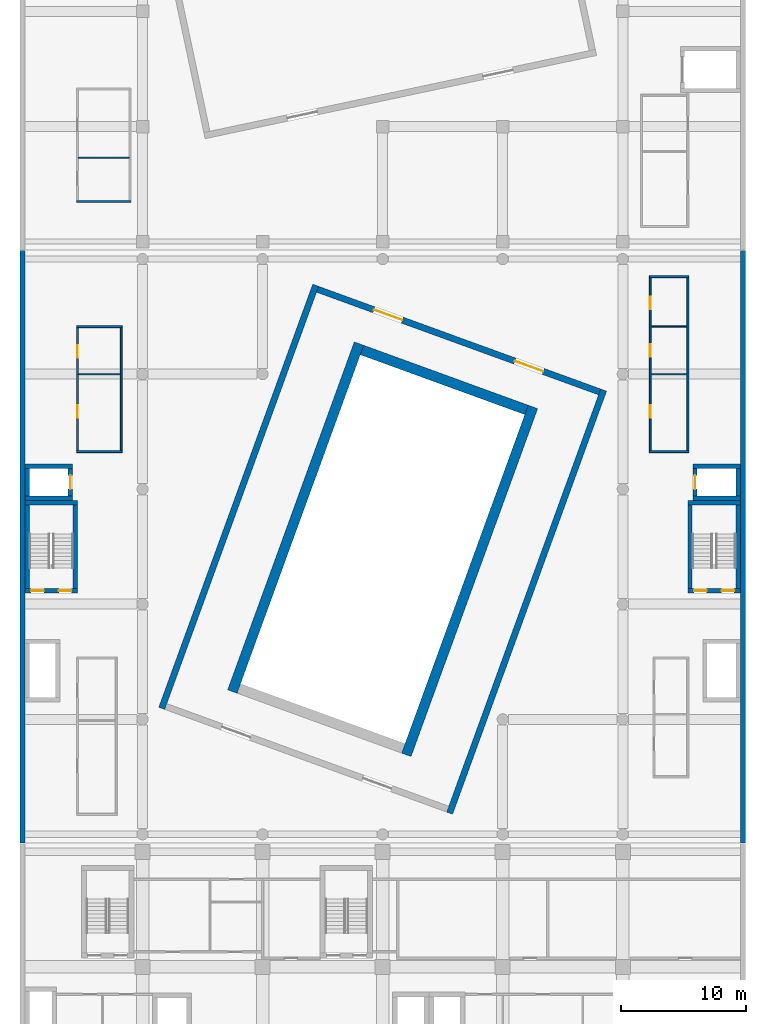
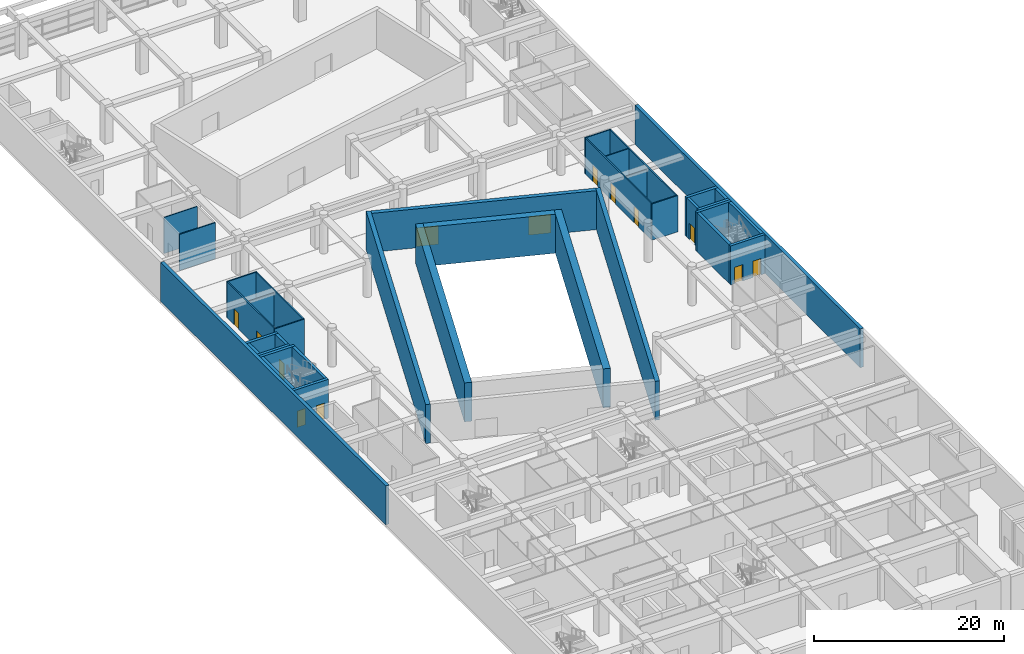
# One storey, part 13 of 31: 37 walls, 13 doors, 13 openings.
"""IFC4 building model written with IfcOpenShell, lengths in metres."""

from ifc_helpers import new_model, si_unit, direction, frame, frame_2d, origin, place, context, subcontext, project, spatial, rectangle, extrude, material, layer, layer_set, type_object, element, fill, save


model = new_model("IFC4")

# Units and contexts
model_context = context("Model", 3, precision=1e-05, world=origin(), true_north=direction((0.0, 1.0)))
body_context = subcontext(model_context, "Body", "Model", "MODEL_VIEW")
ifc_project = project(units=[si_unit("LENGTHUNIT", "METRE"), si_unit("AREAUNIT", "SQUARE_METRE"), si_unit("VOLUMEUNIT", "CUBIC_METRE"), si_unit("PLANEANGLEUNIT", "RADIAN"), si_unit("MASSUNIT", "GRAM", prefix="KILO")], contexts=[model_context])

# Site, building, storey
site_placement = place(None, origin())
site = spatial("IfcSite", under=ifc_project, at=site_placement, CompositionType="ELEMENT")
building_placement = place(site_placement, origin())
building = spatial("IfcBuilding", under=site, at=building_placement, Name="Nzadi Deep Aquarium and Research Tower", CompositionType="ELEMENT")
storey_placement = place(building_placement, frame((0.0, 0.0, 21.699951171875)))
storey = spatial("IfcBuildingStorey", under=building, at=storey_placement, Name="L03", CompositionType="ELEMENT", Elevation=21.699951171875)

# Walls
ifc_material_1 = material(Name="Blockwork masonry", Category="masonry")
ifc_layer_1 = layer(ifc_material_1, 0.10009765625)
ifc_layer_set_1 = layer_set([ifc_layer_1], Name="Blockwork masonry")
wall_type_1 = type_object("IfcWallType", Name="Partition 100 EI 30", PredefinedType="PARTITIONING", material=ifc_layer_set_1)
wall_1_placement = place(storey_placement, frame((50.27490234375, 88.0, 0.0), z_axis=(0.0, 0.0, 1.0), x_axis=(1.0, 0.0, 0.0)))
element("IfcWall", 1, at=wall_1_placement, inside=storey, type_object=wall_type_1, Name="W-Z2-L03-P015", PredefinedType="PARTITIONING", context=body_context, shape_type="SweptSolid", body=[
    extrude(rectangle(XDim=2.85009765625, YDim=0.10009765625, at=frame_2d((1.425048828125, 0.0))), origin(), (0.0, 0.0, 1.0), 4.650146484375),
])
wall_2_placement = place(storey_placement, frame((4.47509765625, 101.5, 0.0), z_axis=(0.0, 0.0, 1.0), x_axis=(1.0, 0.0, 0.0)))
element("IfcWall", 2, at=wall_2_placement, inside=storey, type_object=wall_type_1, Name="W-Z3-L03-P004", PredefinedType="PARTITIONING", context=body_context, shape_type="SweptSolid", body=[
    extrude(rectangle(XDim=4.0498046875, YDim=0.10009765625, at=frame_2d((2.02490234375, 0.0))), origin(), (0.0, 0.0, 1.0), 4.650146484375),
])
ifc_material_2 = material(Name="Blockwork masonry", Category="masonry")
ifc_layer_2 = layer(ifc_material_2, 0.10009765625)
ifc_layer_set_2 = layer_set([ifc_layer_2], Name="Blockwork masonry")
wall_type_2 = type_object("IfcWallType", Name="Partition 100 EI 30, 4.25 m high", PredefinedType="PARTITIONING", material=ifc_layer_set_2)
wall_3_placement = place(storey_placement, frame((4.47509765625, 84.199951171875, 0.0), z_axis=(0.0, 0.0, 1.0), x_axis=(1.0, 0.0, 0.0)))
element("IfcWall", 3, at=wall_3_placement, inside=storey, type_object=wall_type_2, Name="W-Z2-L03-P008", PredefinedType="PARTITIONING", context=body_context, shape_type="SweptSolid", body=[
    extrude(rectangle(XDim=3.349853515625, YDim=0.10009765625, at=frame_2d((1.6748046875, 0.0))), origin(), (0.0, 0.0, 1.0), 4.25),
])
wall_4_placement = place(storey_placement, frame((50.27490234375, 84.199951171875, 0.0), z_axis=(0.0, 0.0, 1.0), x_axis=(1.0, 0.0, 0.0)))
element("IfcWall", 4, at=wall_4_placement, inside=storey, type_object=wall_type_2, Name="W-Z2-L03-P014", PredefinedType="PARTITIONING", context=body_context, shape_type="SweptSolid", body=[
    extrude(rectangle(XDim=2.85009765625, YDim=0.10009765625, at=frame_2d((1.425048828125, 0.0))), origin(), (0.0, 0.0, 1.0), 4.25),
])
ifc_material_3 = material(Name="Blockwork masonry", Category="masonry")
ifc_layer_3 = layer(ifc_material_3, 0.14990234375)
ifc_layer_set_3 = layer_set([ifc_layer_3], Name="Blockwork masonry")
wall_type_3 = type_object("IfcWallType", Name="Partition 150 EI 60", PredefinedType="PARTITIONING", material=ifc_layer_set_3)
wall_5_placement = place(storey_placement, frame((4.324951171875, 78.0, 0.0), z_axis=(0.0, 0.0, 1.0), x_axis=(1.0, 0.0, 0.0)))
element("IfcWall", 5, at=wall_5_placement, inside=storey, type_object=wall_type_3, Name="W-Z2-L03-P004", PredefinedType="PARTITIONING", context=body_context, shape_type="SweptSolid", body=[
    extrude(rectangle(XDim=3.650146484375, YDim=0.14990234375, at=frame_2d((1.8251953125, 0.0))), origin(), (0.0, 0.0, 1.0), 4.650146484375),
])

# Wall, openings, doors
wall_6_placement = place(storey_placement, frame((4.39990234375, 78.074951171875, 0.0), z_axis=(0.0, 0.0, 1.0), x_axis=(0.0, 1.0, 0.0)))
wall_6 = element("IfcWall", 6, at=wall_6_placement, inside=storey, type_object=wall_type_3, Name="W-Z2-L03-P005", PredefinedType="PARTITIONING", context=body_context, shape_type="SweptSolid", body=[
    extrude(rectangle(XDim=9.85009765625, YDim=0.14990234375, at=frame_2d((4.925048828125, 0.0))), origin(), (0.0, 0.0, 1.0), 4.650146484375),
])
opening_1_placement = place(wall_6_placement, frame((2.635009765625, 0.0, 0.0)))
opening_1 = element("IfcOpeningElement", 7, at=opening_1_placement, cuts=wall_6, Name="Opening D042005", PredefinedType="OPENING", context=body_context, shape_type="SweptSolid", body=[
    extrude(rectangle(XDim=1.0, YDim=2.10009765625, at=frame_2d((0.5, 1.050048828125))), frame((0.0, 0.0849609375, 0.0), z_axis=(0.0, -1.0, 0.0), x_axis=(1.0, 0.0, 0.0)), (0.0, 0.0, 1.0), 0.169921875),
])
opening_2_placement = place(wall_6_placement, frame((7.4150390625, 0.0, 0.0)))
opening_2 = element("IfcOpeningElement", 8, at=opening_2_placement, cuts=wall_6, Name="Opening D042006", PredefinedType="OPENING", context=body_context, shape_type="SweptSolid", body=[
    extrude(rectangle(XDim=1.0, YDim=2.10009765625, at=frame_2d((0.5, 1.050048828125))), frame((0.0, 0.0849609375, 0.0), z_axis=(0.0, -1.0, 0.0), x_axis=(1.0, 0.0, 0.0)), (0.0, 0.0, 1.0), 0.169921875),
])
ifc_material_4 = material(Name="Fire-rated steel door", Category="steel")
ifc_layer_4 = layer(ifc_material_4, 0.050048828125)
ifc_layer_set_4 = layer_set([ifc_layer_4], Name="Fire-rated steel door")
door_type_1 = type_object("IfcDoorType", Name="Door 1000x2100 EI 60 single", OperationType="SINGLE_SWING_LEFT", PredefinedType="DOOR", material=ifc_layer_set_4)
door_1_placement = place(opening_1_placement, origin())
door_1 = element("IfcDoor", 9, at=door_1_placement, inside=storey, type_object=door_type_1, Name="D042005", OperationType="SINGLE_SWING_RIGHT", OverallHeight=2.10009765625, OverallWidth=1.0, PredefinedType="DOOR", context=body_context, shape_type="SweptSolid", body=[
    extrude(rectangle(XDim=1.0, YDim=2.10009765625, at=frame_2d((0.5, 1.050048828125))), frame((0.0, 0.02490234375, 0.0), z_axis=(0.0, -1.0, 0.0), x_axis=(1.0, 0.0, 0.0)), (0.0, 0.0, 1.0), 0.050048828125),
])
fill(opening_1, door_1)
door_2_placement = place(opening_2_placement, origin())
door_2 = element("IfcDoor", 10, at=door_2_placement, inside=storey, type_object=door_type_1, Name="D042006", OperationType="SINGLE_SWING_LEFT", OverallHeight=2.10009765625, OverallWidth=1.0, PredefinedType="DOOR", context=body_context, shape_type="SweptSolid", body=[
    extrude(rectangle(XDim=1.0, YDim=2.10009765625, at=frame_2d((0.5, 1.050048828125))), frame((0.0, 0.02490234375, 0.0), z_axis=(0.0, -1.0, 0.0), x_axis=(1.0, 0.0, 0.0)), (0.0, 0.0, 1.0), 0.050048828125),
])
fill(opening_2, door_2)

# Walls
wall_7_placement = place(storey_placement, frame((4.324951171875, 88.0, 0.0), z_axis=(0.0, 0.0, 1.0), x_axis=(1.0, 0.0, 0.0)))
element("IfcWall", 11, at=wall_7_placement, inside=storey, type_object=wall_type_3, Name="W-Z2-L03-P006", PredefinedType="PARTITIONING", context=body_context, shape_type="SweptSolid", body=[
    extrude(rectangle(XDim=3.650146484375, YDim=0.14990234375, at=frame_2d((1.8251953125, 0.0))), origin(), (0.0, 0.0, 1.0), 4.650146484375),
])
wall_8_placement = place(storey_placement, frame((7.89990234375, 78.074951171875, 0.0), z_axis=(0.0, 0.0, 1.0), x_axis=(0.0, 1.0, 0.0)))
element("IfcWall", 12, at=wall_8_placement, inside=storey, type_object=wall_type_3, Name="W-Z2-L03-P010", PredefinedType="PARTITIONING", context=body_context, shape_type="SweptSolid", body=[
    extrude(rectangle(XDim=9.85009765625, YDim=0.14990234375, at=frame_2d((4.925048828125, 0.0))), origin(), (0.0, 0.0, 1.0), 4.650146484375),
])
wall_9_placement = place(storey_placement, frame((50.125, 78.0, 0.0), z_axis=(0.0, 0.0, 1.0), x_axis=(1.0, 0.0, 0.0)))
element("IfcWall", 13, at=wall_9_placement, inside=storey, type_object=wall_type_3, Name="W-Z2-L03-P011", PredefinedType="PARTITIONING", context=body_context, shape_type="SweptSolid", body=[
    extrude(rectangle(XDim=3.14990234375, YDim=0.14990234375, at=frame_2d((1.574951171875, 0.0))), origin(), (0.0, 0.0, 1.0), 4.650146484375),
])

# Wall, openings, doors
wall_10_placement = place(storey_placement, frame((50.199951171875, 78.074951171875, 0.0), z_axis=(0.0, 0.0, 1.0), x_axis=(0.0, 1.0, 0.0)))
wall_10 = element("IfcWall", 14, at=wall_10_placement, inside=storey, type_object=wall_type_3, Name="W-Z2-L03-P012", PredefinedType="PARTITIONING", context=body_context, shape_type="SweptSolid", body=[
    extrude(rectangle(XDim=13.85009765625, YDim=0.14990234375, at=frame_2d((6.925048828125, 0.0))), origin(), (0.0, 0.0, 1.0), 4.650146484375),
])
opening_3_placement = place(wall_10_placement, frame((2.635009765625, 0.0, 0.0)))
opening_3 = element("IfcOpeningElement", 15, at=opening_3_placement, cuts=wall_10, Name="Opening D042007", PredefinedType="OPENING", context=body_context, shape_type="SweptSolid", body=[
    extrude(rectangle(XDim=1.0, YDim=2.10009765625, at=frame_2d((0.5, 1.050048828125))), frame((0.0, 0.0849609375, 0.0), z_axis=(0.0, -1.0, 0.0), x_axis=(1.0, 0.0, 0.0)), (0.0, 0.0, 1.0), 0.169921875),
])
opening_4_placement = place(wall_10_placement, frame((7.52490234375, 0.0, 0.0)))
opening_4 = element("IfcOpeningElement", 16, at=opening_4_placement, cuts=wall_10, Name="Opening D042008", PredefinedType="OPENING", context=body_context, shape_type="SweptSolid", body=[
    extrude(rectangle(XDim=1.0, YDim=2.10009765625, at=frame_2d((0.5, 1.050048828125))), frame((0.0, 0.0849609375, 0.0), z_axis=(0.0, -1.0, 0.0), x_axis=(1.0, 0.0, 0.0)), (0.0, 0.0, 1.0), 0.169921875),
])
opening_5_placement = place(wall_10_placement, frame((11.31494140625, 0.0, 0.0)))
opening_5 = element("IfcOpeningElement", 17, at=opening_5_placement, cuts=wall_10, Name="Opening D042009", PredefinedType="OPENING", context=body_context, shape_type="SweptSolid", body=[
    extrude(rectangle(XDim=1.0, YDim=2.10009765625, at=frame_2d((0.5, 1.050048828125))), frame((0.0, 0.0849609375, 0.0), z_axis=(0.0, -1.0, 0.0), x_axis=(1.0, 0.0, 0.0)), (0.0, 0.0, 1.0), 0.169921875),
])
door_3_placement = place(opening_3_placement, origin())
door_3 = element("IfcDoor", 18, at=door_3_placement, inside=storey, type_object=door_type_1, Name="D042007", OperationType="SINGLE_SWING_RIGHT", OverallHeight=2.10009765625, OverallWidth=1.0, PredefinedType="DOOR", context=body_context, shape_type="SweptSolid", body=[
    extrude(rectangle(XDim=1.0, YDim=2.10009765625, at=frame_2d((0.5, 1.050048828125))), frame((0.0, 0.02490234375, 0.0), z_axis=(0.0, -1.0, 0.0), x_axis=(1.0, 0.0, 0.0)), (0.0, 0.0, 1.0), 0.050048828125),
])
fill(opening_3, door_3)
door_4_placement = place(opening_4_placement, origin())
door_4 = element("IfcDoor", 19, at=door_4_placement, inside=storey, type_object=door_type_1, Name="D042008", OperationType="SINGLE_SWING_LEFT", OverallHeight=2.10009765625, OverallWidth=1.0, PredefinedType="DOOR", context=body_context, shape_type="SweptSolid", body=[
    extrude(rectangle(XDim=1.0, YDim=2.10009765625, at=frame_2d((0.5, 1.050048828125))), frame((0.0, 0.02490234375, 0.0), z_axis=(0.0, -1.0, 0.0), x_axis=(1.0, 0.0, 0.0)), (0.0, 0.0, 1.0), 0.050048828125),
])
fill(opening_4, door_4)
door_5_placement = place(opening_5_placement, origin())
door_5 = element("IfcDoor", 20, at=door_5_placement, inside=storey, type_object=door_type_1, Name="D042009", OperationType="SINGLE_SWING_LEFT", OverallHeight=2.10009765625, OverallWidth=1.0, PredefinedType="DOOR", context=body_context, shape_type="SweptSolid", body=[
    extrude(rectangle(XDim=1.0, YDim=2.10009765625, at=frame_2d((0.5, 1.050048828125))), frame((0.0, 0.02490234375, 0.0), z_axis=(0.0, -1.0, 0.0), x_axis=(1.0, 0.0, 0.0)), (0.0, 0.0, 1.0), 0.050048828125),
])
fill(opening_5, door_5)

# Walls
wall_11_placement = place(storey_placement, frame((50.125, 92.0, 0.0), z_axis=(0.0, 0.0, 1.0), x_axis=(1.0, 0.0, 0.0)))
element("IfcWall", 21, at=wall_11_placement, inside=storey, type_object=wall_type_3, Name="W-Z2-L03-P013", PredefinedType="PARTITIONING", context=body_context, shape_type="SweptSolid", body=[
    extrude(rectangle(XDim=3.14990234375, YDim=0.14990234375, at=frame_2d((1.574951171875, 0.0))), origin(), (0.0, 0.0, 1.0), 4.650146484375),
])
wall_12_placement = place(storey_placement, frame((53.199951171875, 78.074951171875, 0.0), z_axis=(0.0, 0.0, 1.0), x_axis=(0.0, 1.0, 0.0)))
element("IfcWall", 22, at=wall_12_placement, inside=storey, type_object=wall_type_3, Name="W-Z2-L03-P021", PredefinedType="PARTITIONING", context=body_context, shape_type="SweptSolid", body=[
    extrude(rectangle(XDim=13.85009765625, YDim=0.14990234375, at=frame_2d((6.925048828125, 0.0))), origin(), (0.0, 0.0, 1.0), 4.650146484375),
])
wall_13_placement = place(storey_placement, frame((4.324951171875, 98.0, 0.0), z_axis=(0.0, 0.0, 1.0), x_axis=(1.0, 0.0, 0.0)))
element("IfcWall", 23, at=wall_13_placement, inside=storey, type_object=wall_type_3, Name="W-Z3-L03-P001", PredefinedType="PARTITIONING", context=body_context, shape_type="SweptSolid", body=[
    extrude(rectangle(XDim=4.35009765625, YDim=0.14990234375, at=frame_2d((2.175048828125, 0.0))), origin(), (0.0, 0.0, 1.0), 4.650146484375),
])

# Wall, openings, doors
ifc_material_5 = material(Name="Concrete C35/45", Category="concrete")
ifc_layer_5 = layer(ifc_material_5, 0.35009765625)
ifc_layer_set_5 = layer_set([ifc_layer_5], Name="Concrete C35/45")
wall_type_4 = type_object("IfcWallType", Name="RC core wall 350", PredefinedType="SHEAR", material=ifc_layer_set_5)
wall_14_placement = place(storey_placement, frame((0.199951171875, 66.875, 0.0), z_axis=(0.0, 0.0, 1.0), x_axis=(1.0, 0.0, 0.0)))
wall_14 = element("IfcWall", 24, at=wall_14_placement, inside=storey, type_object=wall_type_4, Name="W-CORE-ST-Z2-W-L03-S", PredefinedType="SHEAR", context=body_context, shape_type="SweptSolid", body=[
    extrude(rectangle(XDim=4.199951171875, YDim=0.35009765625, at=frame_2d((2.10009765625, 0.0))), origin(), (0.0, 0.0, 1.0), 5.0),
])
opening_6_placement = place(wall_14_placement, frame((0.5, 0.0, 0.0)))
opening_6 = element("IfcOpeningElement", 25, at=opening_6_placement, cuts=wall_14, Name="Opening DS-Z2-W-L03A", PredefinedType="OPENING", context=body_context, shape_type="SweptSolid", body=[
    extrude(rectangle(XDim=1.0, YDim=2.10009765625, at=frame_2d((0.5, 1.050048828125))), frame((0.0, 0.18505859375, 0.0), z_axis=(0.0, -1.0, 0.0), x_axis=(1.0, 0.0, 0.0)), (0.0, 0.0, 1.0), 0.3701171875),
])
opening_7_placement = place(wall_14_placement, frame((2.699951171875, 0.0, 0.0)))
opening_7 = element("IfcOpeningElement", 26, at=opening_7_placement, cuts=wall_14, Name="Opening DS-Z2-W-L03B", PredefinedType="OPENING", context=body_context, shape_type="SweptSolid", body=[
    extrude(rectangle(XDim=1.0, YDim=2.10009765625, at=frame_2d((0.5, 1.050048828125))), frame((0.0, 0.18505859375, 0.0), z_axis=(0.0, -1.0, 0.0), x_axis=(1.0, 0.0, 0.0)), (0.0, 0.0, 1.0), 0.3701171875),
])
ifc_material_6 = material(Name="Steel, powder coated", Category="steel")
door_type_2 = type_object("IfcDoorType", Name="STAIR DOOR 1000x2100 EI 60", OperationType="SINGLE_SWING_LEFT", PredefinedType="DOOR", material=ifc_material_6)
door_6_placement = place(opening_6_placement, origin())
door_6 = element("IfcDoor", 27, at=door_6_placement, inside=storey, type_object=door_type_2, Name="Stair door ST-Z2-W L03 A", OperationType="SINGLE_SWING_RIGHT", OverallHeight=2.10009765625, OverallWidth=1.0, PredefinedType="DOOR", context=body_context, shape_type="SweptSolid", body=[
    extrude(rectangle(XDim=1.0, YDim=2.10009765625, at=frame_2d((0.5, 1.050048828125))), frame((0.0, 0.02490234375, 0.0), z_axis=(0.0, -1.0, 0.0), x_axis=(1.0, 0.0, 0.0)), (0.0, 0.0, 1.0), 0.050048828125),
])
fill(opening_6, door_6)
door_7_placement = place(opening_7_placement, origin())
door_7 = element("IfcDoor", 28, at=door_7_placement, inside=storey, type_object=door_type_2, Name="Stair door ST-Z2-W L03 B", OperationType="SINGLE_SWING_LEFT", OverallHeight=2.10009765625, OverallWidth=1.0, PredefinedType="DOOR", context=body_context, shape_type="SweptSolid", body=[
    extrude(rectangle(XDim=1.0, YDim=2.10009765625, at=frame_2d((0.5, 1.050048828125))), frame((0.0, 0.02490234375, 0.0), z_axis=(0.0, -1.0, 0.0), x_axis=(1.0, 0.0, 0.0)), (0.0, 0.0, 1.0), 0.050048828125),
])
fill(opening_7, door_7)

# Walls
wall_15_placement = place(storey_placement, frame((0.199951171875, 73.925048828125, 0.0), z_axis=(0.0, 0.0, 1.0), x_axis=(1.0, 0.0, 0.0)))
element("IfcWall", 29, at=wall_15_placement, inside=storey, type_object=wall_type_4, Name="W-CORE-ST-Z2-W-L03-N", PredefinedType="SHEAR", context=body_context, shape_type="SweptSolid", body=[
    extrude(rectangle(XDim=4.199951171875, YDim=0.35009765625, at=frame_2d((2.10009765625, 0.0))), origin(), (0.0, 0.0, 1.0), 5.0),
])
for number, where, z_axis, x_axis, name in (
    (30, (0.375, 67.050048828125, 0.0), (0.0, 0.0, 1.0), (0.0, 1.0, 0.0), "W-CORE-ST-Z2-W-L03-W"),
    (31, (4.22509765625, 67.050048828125, 0.0), (0.0, 0.0, 1.0), (0.0, 1.0, 0.0), "W-CORE-ST-Z2-W-L03-E"),
):
    element("IfcWall", number, at=place(storey_placement, frame(where, z_axis=z_axis, x_axis=x_axis)), inside=storey, type_object=wall_type_4, Name=name, PredefinedType="SHEAR", context=body_context, shape_type="SweptSolid", body=[
        extrude(rectangle(XDim=6.699951171875, YDim=0.35009765625, at=frame_2d((3.35009765625, 0.0))), origin(), (0.0, 0.0, 1.0), 5.0),
    ])

# Wall, openings, doors
wall_16_placement = place(storey_placement, frame((53.199951171875, 66.875, 0.0), z_axis=(0.0, 0.0, 1.0), x_axis=(1.0, 0.0, 0.0)))
wall_16 = element("IfcWall", 32, at=wall_16_placement, inside=storey, type_object=wall_type_4, Name="W-CORE-ST-Z2-E-L03-S", PredefinedType="SHEAR", context=body_context, shape_type="SweptSolid", body=[
    extrude(rectangle(XDim=4.199951171875, YDim=0.35009765625, at=frame_2d((2.10009765625, 0.0))), origin(), (0.0, 0.0, 1.0), 5.0),
])
opening_8_placement = place(wall_16_placement, frame((0.5, 0.0, 0.0)))
opening_8 = element("IfcOpeningElement", 33, at=opening_8_placement, cuts=wall_16, Name="Opening DS-Z2-E-L03A", PredefinedType="OPENING", context=body_context, shape_type="SweptSolid", body=[
    extrude(rectangle(XDim=1.0, YDim=2.10009765625, at=frame_2d((0.5, 1.050048828125))), frame((0.0, 0.18505859375, 0.0), z_axis=(0.0, -1.0, 0.0), x_axis=(1.0, 0.0, 0.0)), (0.0, 0.0, 1.0), 0.3701171875),
])
opening_9_placement = place(wall_16_placement, frame((2.699951171875, 0.0, 0.0)))
opening_9 = element("IfcOpeningElement", 34, at=opening_9_placement, cuts=wall_16, Name="Opening DS-Z2-E-L03B", PredefinedType="OPENING", context=body_context, shape_type="SweptSolid", body=[
    extrude(rectangle(XDim=1.0, YDim=2.10009765625, at=frame_2d((0.5, 1.050048828125))), frame((0.0, 0.18505859375, 0.0), z_axis=(0.0, -1.0, 0.0), x_axis=(1.0, 0.0, 0.0)), (0.0, 0.0, 1.0), 0.3701171875),
])
door_8_placement = place(opening_8_placement, origin())
door_8 = element("IfcDoor", 35, at=door_8_placement, inside=storey, type_object=door_type_2, Name="Stair door ST-Z2-E L03 A", OperationType="SINGLE_SWING_RIGHT", OverallHeight=2.10009765625, OverallWidth=1.0, PredefinedType="DOOR", context=body_context, shape_type="SweptSolid", body=[
    extrude(rectangle(XDim=1.0, YDim=2.10009765625, at=frame_2d((0.5, 1.050048828125))), frame((0.0, 0.02490234375, 0.0), z_axis=(0.0, -1.0, 0.0), x_axis=(1.0, 0.0, 0.0)), (0.0, 0.0, 1.0), 0.050048828125),
])
fill(opening_8, door_8)
door_9_placement = place(opening_9_placement, origin())
door_9 = element("IfcDoor", 36, at=door_9_placement, inside=storey, type_object=door_type_2, Name="Stair door ST-Z2-E L03 B", OperationType="SINGLE_SWING_LEFT", OverallHeight=2.10009765625, OverallWidth=1.0, PredefinedType="DOOR", context=body_context, shape_type="SweptSolid", body=[
    extrude(rectangle(XDim=1.0, YDim=2.10009765625, at=frame_2d((0.5, 1.050048828125))), frame((0.0, 0.02490234375, 0.0), z_axis=(0.0, -1.0, 0.0), x_axis=(1.0, 0.0, 0.0)), (0.0, 0.0, 1.0), 0.050048828125),
])
fill(opening_9, door_9)

# Walls
wall_17_placement = place(storey_placement, frame((53.199951171875, 73.925048828125, 0.0), z_axis=(0.0, 0.0, 1.0), x_axis=(1.0, 0.0, 0.0)))
element("IfcWall", 37, at=wall_17_placement, inside=storey, type_object=wall_type_4, Name="W-CORE-ST-Z2-E-L03-N", PredefinedType="SHEAR", context=body_context, shape_type="SweptSolid", body=[
    extrude(rectangle(XDim=4.199951171875, YDim=0.35009765625, at=frame_2d((2.10009765625, 0.0))), origin(), (0.0, 0.0, 1.0), 5.0),
])
for number, where, z_axis, x_axis, name in (
    (38, (53.375, 67.050048828125, 0.0), (0.0, 0.0, 1.0), (0.0, 1.0, 0.0), "W-CORE-ST-Z2-E-L03-W"),
    (39, (57.22509765625, 67.050048828125, 0.0), (0.0, 0.0, 1.0), (0.0, 1.0, 0.0), "W-CORE-ST-Z2-E-L03-E"),
):
    element("IfcWall", number, at=place(storey_placement, frame(where, z_axis=z_axis, x_axis=x_axis)), inside=storey, type_object=wall_type_4, Name=name, PredefinedType="SHEAR", context=body_context, shape_type="SweptSolid", body=[
        extrude(rectangle(XDim=6.699951171875, YDim=0.35009765625, at=frame_2d((3.35009765625, 0.0))), origin(), (0.0, 0.0, 1.0), 5.0),
    ])
for number, where, z_axis, x_axis, name in (
    (40, (0.199951171875, 74.27490234375, 0.0), (0.0, 0.0, 1.0), (1.0, 0.0, 0.0), "W-CORE-PL3-L03-S"),
    (41, (0.199951171875, 76.824951171875, 0.0), (0.0, 0.0, 1.0), (1.0, 0.0, 0.0), "W-CORE-PL3-L03-N"),
):
    element("IfcWall", number, at=place(storey_placement, frame(where, z_axis=z_axis, x_axis=x_axis)), inside=storey, type_object=wall_type_4, Name=name, PredefinedType="SHEAR", context=body_context, shape_type="SweptSolid", body=[
        extrude(rectangle(XDim=3.800048828125, YDim=0.35009765625, at=frame_2d((1.89990234375, 0.0))), origin(), (0.0, 0.0, 1.0), 5.0),
    ])
wall_18_placement = place(storey_placement, frame((0.375, 74.449951171875, 0.0), z_axis=(0.0, 0.0, 1.0), x_axis=(0.0, 1.0, 0.0)))
element("IfcWall", 42, at=wall_18_placement, inside=storey, type_object=wall_type_4, Name="W-CORE-PL3-L03-W", PredefinedType="SHEAR", context=body_context, shape_type="SweptSolid", body=[
    extrude(rectangle(XDim=2.199951171875, YDim=0.35009765625, at=frame_2d((1.10009765625, 0.0))), origin(), (0.0, 0.0, 1.0), 5.0),
])

# Wall, opening, door
wall_19_placement = place(storey_placement, frame((3.824951171875, 74.449951171875, 0.0), z_axis=(0.0, 0.0, 1.0), x_axis=(0.0, 1.0, 0.0)))
wall_19 = element("IfcWall", 43, at=wall_19_placement, inside=storey, type_object=wall_type_4, Name="W-CORE-PL3-L03-E", PredefinedType="SHEAR", context=body_context, shape_type="SweptSolid", body=[
    extrude(rectangle(XDim=2.199951171875, YDim=0.35009765625, at=frame_2d((1.10009765625, 0.0))), origin(), (0.0, 0.0, 1.0), 5.0),
])
opening_10_placement = place(wall_19_placement, frame((0.550048828125, 0.0, 0.0)))
opening_10 = element("IfcOpeningElement", 44, at=opening_10_placement, cuts=wall_19, Name="Opening LD-PL3-L03", PredefinedType="OPENING", context=body_context, shape_type="SweptSolid", body=[
    extrude(rectangle(XDim=1.10009765625, YDim=2.10009765625, at=frame_2d((0.550048828125, 1.050048828125))), frame((0.0, 0.18505859375, 0.0), z_axis=(0.0, -1.0, 0.0), x_axis=(1.0, 0.0, 0.0)), (0.0, 0.0, 1.0), 0.3701171875),
])
ifc_material_7 = material(Name="Stainless steel 1.4301", Category="steel")
door_type_3 = type_object("IfcDoorType", Name="LANDING DOOR 1100x2100", OperationType="DOUBLE_DOOR_SLIDING", PredefinedType="DOOR", material=ifc_material_7)
door_10_placement = place(opening_10_placement, origin())
door_10 = element("IfcDoor", 45, at=door_10_placement, inside=storey, type_object=door_type_3, Name="Landing door PL3 L03", OperationType="DOUBLE_DOOR_SLIDING", OverallHeight=2.10009765625, OverallWidth=1.10009765625, PredefinedType="DOOR", context=body_context, shape_type="SweptSolid", body=[
    extrude(rectangle(XDim=1.10009765625, YDim=2.10009765625, at=frame_2d((0.550048828125, 1.050048828125))), frame((0.0, 0.02490234375, 0.0), z_axis=(0.0, -1.0, 0.0), x_axis=(1.0, 0.0, 0.0)), (0.0, 0.0, 1.0), 0.050048828125),
])
fill(opening_10, door_10)

# Walls
for number, where, z_axis, x_axis, name in (
    (46, (53.60009765625, 74.27490234375, 0.0), (0.0, 0.0, 1.0), (1.0, 0.0, 0.0), "W-CORE-PL4-L03-S"),
    (47, (53.60009765625, 76.824951171875, 0.0), (0.0, 0.0, 1.0), (1.0, 0.0, 0.0), "W-CORE-PL4-L03-N"),
):
    element("IfcWall", number, at=place(storey_placement, frame(where, z_axis=z_axis, x_axis=x_axis)), inside=storey, type_object=wall_type_4, Name=name, PredefinedType="SHEAR", context=body_context, shape_type="SweptSolid", body=[
        extrude(rectangle(XDim=3.7998046875, YDim=0.35009765625, at=frame_2d((1.89990234375, 0.0))), origin(), (0.0, 0.0, 1.0), 5.0),
    ])

# Wall, opening, door
wall_20_placement = place(storey_placement, frame((53.77490234375, 74.449951171875, 0.0), z_axis=(0.0, 0.0, 1.0), x_axis=(0.0, 1.0, 0.0)))
wall_20 = element("IfcWall", 48, at=wall_20_placement, inside=storey, type_object=wall_type_4, Name="W-CORE-PL4-L03-W", PredefinedType="SHEAR", context=body_context, shape_type="SweptSolid", body=[
    extrude(rectangle(XDim=2.199951171875, YDim=0.35009765625, at=frame_2d((1.10009765625, 0.0))), origin(), (0.0, 0.0, 1.0), 5.0),
])
opening_11_placement = place(wall_20_placement, frame((0.550048828125, 0.0, 0.0)))
opening_11 = element("IfcOpeningElement", 49, at=opening_11_placement, cuts=wall_20, Name="Opening LD-PL4-L03", PredefinedType="OPENING", context=body_context, shape_type="SweptSolid", body=[
    extrude(rectangle(XDim=1.10009765625, YDim=2.10009765625, at=frame_2d((0.550048828125, 1.050048828125))), frame((0.0, 0.18505859375, 0.0), z_axis=(0.0, -1.0, 0.0), x_axis=(1.0, 0.0, 0.0)), (0.0, 0.0, 1.0), 0.3701171875),
])
door_11_placement = place(opening_11_placement, origin())
door_11 = element("IfcDoor", 50, at=door_11_placement, inside=storey, type_object=door_type_3, Name="Landing door PL4 L03", OperationType="DOUBLE_DOOR_SLIDING", OverallHeight=2.10009765625, OverallWidth=1.10009765625, PredefinedType="DOOR", context=body_context, shape_type="SweptSolid", body=[
    extrude(rectangle(XDim=1.10009765625, YDim=2.10009765625, at=frame_2d((0.550048828125, 1.050048828125))), frame((0.0, 0.02490234375, 0.0), z_axis=(0.0, -1.0, 0.0), x_axis=(1.0, 0.0, 0.0)), (0.0, 0.0, 1.0), 0.050048828125),
])
fill(opening_11, door_11)

# Walls
wall_21_placement = place(storey_placement, frame((57.22509765625, 74.449951171875, 0.0), z_axis=(0.0, 0.0, 1.0), x_axis=(0.0, 1.0, 0.0)))
element("IfcWall", 51, at=wall_21_placement, inside=storey, type_object=wall_type_4, Name="W-CORE-PL4-L03-E", PredefinedType="SHEAR", context=body_context, shape_type="SweptSolid", body=[
    extrude(rectangle(XDim=2.199951171875, YDim=0.35009765625, at=frame_2d((1.10009765625, 0.0))), origin(), (0.0, 0.0, 1.0), 5.0),
])
ifc_material_8 = material(Name="Concrete C35/45", Category="concrete")
ifc_layer_6 = layer(ifc_material_8, 0.5)
ifc_layer_set_6 = layer_set([ifc_layer_6], Name="Concrete C35/45")
wall_type_5 = type_object("IfcWallType", Name="RC envelope wall 500", PredefinedType="SHEAR", material=ifc_layer_set_6)
wall_22_placement = place(storey_placement, frame((11.13232421875, 57.475341796875, 0.0), z_axis=(0.0, 0.0, 1.0), x_axis=(0.342021295667, 0.939692201367, 0.0)))
element("IfcWall", 52, at=wall_22_placement, inside=storey, type_object=wall_type_5, Name="W-PR-L03-W", PredefinedType="SHEAR", context=body_context, shape_type="SweptSolid", body=[
    extrude(rectangle(XDim=36.0, YDim=0.5, at=frame_2d((18.0, 0.0))), origin(), (0.0, 0.0, 1.0), 5.0),
])
wall_23_placement = place(storey_placement, frame((34.15478515625, 49.095703125, 0.0), z_axis=(0.0, 0.0, 1.0), x_axis=(0.342019116079, 0.939692994673, 0.0)))
element("IfcWall", 53, at=wall_23_placement, inside=storey, type_object=wall_type_5, Name="W-PR-L03-E", PredefinedType="SHEAR", context=body_context, shape_type="SweptSolid", body=[
    extrude(rectangle(XDim=36.000244140625, YDim=0.5, at=frame_2d((18.0, 0.0))), origin(), (0.0, 0.0, 1.0), 5.0),
])

# Wall, openings, doors
wall_24_placement = place(storey_placement, frame((23.594482421875, 90.98388671875, 0.0), z_axis=(0.0, 0.0, 1.0), x_axis=(0.939692994673, -0.342019116079, 0.0)))
wall_24 = element("IfcWall", 54, at=wall_24_placement, inside=storey, type_object=wall_type_5, Name="W-PR-L03-N", PredefinedType="SHEAR", context=body_context, shape_type="SweptSolid", body=[
    extrude(rectangle(XDim=24.0, YDim=0.5, at=frame_2d((12.0, 0.0))), origin(), (0.0, 0.0, 1.0), 5.0),
])
opening_12_placement = place(wall_24_placement, frame((4.800048828125, 0.0, 0.0)))
opening_12 = element("IfcOpeningElement", 55, at=opening_12_placement, cuts=wall_24, Name="Opening D042011", PredefinedType="OPENING", context=body_context, shape_type="SweptSolid", body=[
    extrude(rectangle(XDim=2.39990234375, YDim=2.39990234375, at=frame_2d((1.199951171875, 1.199951171875))), frame((0.0, 0.260009765625, 0.0), z_axis=(0.0, -1.0, 0.0), x_axis=(1.0, 0.0, 0.0)), (0.0, 0.0, 1.0), 0.52001953125),
])
opening_13_placement = place(wall_24_placement, frame((16.800048828125, 0.0, 0.0)))
opening_13 = element("IfcOpeningElement", 56, at=opening_13_placement, cuts=wall_24, Name="Opening D042013", PredefinedType="OPENING", context=body_context, shape_type="SweptSolid", body=[
    extrude(rectangle(XDim=2.39990234375, YDim=2.39990234375, at=frame_2d((1.199951171875, 1.199951171875))), frame((0.0, 0.260009765625, 0.0), z_axis=(0.0, -1.0, 0.0), x_axis=(1.0, 0.0, 0.0)), (0.0, 0.0, 1.0), 0.52001953125),
])
ifc_material_9 = material(Name="Fire-rated steel door", Category="steel")
ifc_layer_7 = layer(ifc_material_9, 0.050048828125)
ifc_layer_set_7 = layer_set([ifc_layer_7], Name="Fire-rated steel door")
door_type_4 = type_object("IfcDoorType", Name="Door 2400x2400 EI 120 double", OperationType="DOUBLE_DOOR_SINGLE_SWING", PredefinedType="DOOR", material=ifc_layer_set_7)
door_12_placement = place(opening_12_placement, origin())
door_12 = element("IfcDoor", 57, at=door_12_placement, inside=storey, type_object=door_type_4, Name="D042011", OperationType="DOUBLE_DOOR_SINGLE_SWING", OverallHeight=2.39990234375, OverallWidth=2.39990234375, PredefinedType="DOOR", context=body_context, shape_type="SweptSolid", body=[
    extrude(rectangle(XDim=2.39990234375, YDim=2.39990234375, at=frame_2d((1.199951171875, 1.199951171875))), frame((0.0, 0.02490234375, 0.0), z_axis=(0.0, -1.0, 0.0), x_axis=(1.0, 0.0, 0.0)), (0.0, 0.0, 1.0), 0.050048828125),
])
fill(opening_12, door_12)
door_13_placement = place(opening_13_placement, origin())
door_13 = element("IfcDoor", 58, at=door_13_placement, inside=storey, type_object=door_type_4, Name="D042013", OperationType="DOUBLE_DOOR_SINGLE_SWING", OverallHeight=2.39990234375, OverallWidth=2.39990234375, PredefinedType="DOOR", context=body_context, shape_type="SweptSolid", body=[
    extrude(rectangle(XDim=2.39990234375, YDim=2.39990234375, at=frame_2d((1.199951171875, 1.199951171875))), frame((0.0, 0.02490234375, 0.0), z_axis=(0.0, -1.0, 0.0), x_axis=(1.0, 0.0, 0.0)), (0.0, 0.0, 1.0), 0.050048828125),
])
fill(opening_13, door_13)

# Walls
ifc_material_10 = material(Name="Concrete C35/45", Category="concrete")
ifc_layer_8 = layer(ifc_material_10, 0.39990234375)
ifc_layer_set_8 = layer_set([ifc_layer_8], Name="Concrete C35/45")
wall_type_6 = type_object("IfcWallType", Name="RC party wall 400", PredefinedType="SHEAR", material=ifc_layer_set_8)
for number, where, z_axis, x_axis, name in (
    (59, (0.00048828125, 46.719970703125, 0.0), (0.0, 0.0, 1.0), (0.0, 1.0, 0.0), "W-PTY-Z2-L03-W"),
    (60, (57.599609375, 46.719970703125, 0.0), (0.0, 0.0, 1.0), (0.0, 1.0, 0.0), "W-PTY-Z2-L03-E"),
):
    element("IfcWall", number, at=place(storey_placement, frame(where, z_axis=z_axis, x_axis=x_axis)), inside=storey, type_object=wall_type_6, Name=name, PredefinedType="SHEAR", context=body_context, shape_type="SweptSolid", body=[
        extrude(rectangle(XDim=47.360107421875, YDim=0.39990234375, at=frame_2d((23.68017578125, 0.0))), origin(), (0.0, 0.0, 1.0), 5.0),
    ])
ifc_material_11 = material(Name="Concrete C40/50", Category="concrete")
ifc_layer_9 = layer(ifc_material_11, 0.800048828125)
ifc_layer_set_9 = layer_set([ifc_layer_9], Name="Concrete C40/50")
wall_type_7 = type_object("IfcWallType", Name="RC tank wall 800 C40/50, 5.00 m high", PredefinedType="SOLIDWALL", material=ifc_layer_set_9)
wall_25_placement = place(storey_placement, frame((16.784423828125, 58.823486328125, 0.0), z_axis=(0.0, 0.0, 1.0), x_axis=(0.342019205328, 0.939692962188, 0.0)))
element("IfcWall", 61, at=wall_25_placement, inside=storey, type_object=wall_type_7, Name="W-TK-L03-W", PredefinedType="SOLIDWALL", context=body_context, shape_type="SweptSolid", body=[
    extrude(rectangle(XDim=29.60009765625, YDim=0.800048828125, at=frame_2d((14.800048828125, 0.0))), origin(), (0.0, 0.0, 1.0), 5.0),
])
wall_26_placement = place(storey_placement, frame((30.69189453125, 53.76171875, 0.0), z_axis=(0.0, 0.0, 1.0), x_axis=(0.342021856193, 0.939691997352, 0.0)))
element("IfcWall", 62, at=wall_26_placement, inside=storey, type_object=wall_type_7, Name="W-TK-L03-E", PredefinedType="SOLIDWALL", context=body_context, shape_type="SweptSolid", body=[
    extrude(rectangle(XDim=29.599853515625, YDim=0.800048828125, at=frame_2d((14.7998046875, 0.0))), origin(), (0.0, 0.0, 1.0), 5.0),
])
wall_27_placement = place(storey_placement, frame((27.147216796875, 86.125732421875, 0.0), z_axis=(0.0, 0.0, 1.0), x_axis=(0.939692060566, -0.342021682513, 0.0)))
element("IfcWall", 63, at=wall_27_placement, inside=storey, type_object=wall_type_7, Name="W-TK-L03-N", PredefinedType="SOLIDWALL", context=body_context, shape_type="SweptSolid", body=[
    extrude(rectangle(XDim=14.0, YDim=0.800048828125, at=frame_2d((7.0, 0.0))), origin(), (0.0, 0.0, 1.0), 5.0),
])

save(model, "model.ifc")
